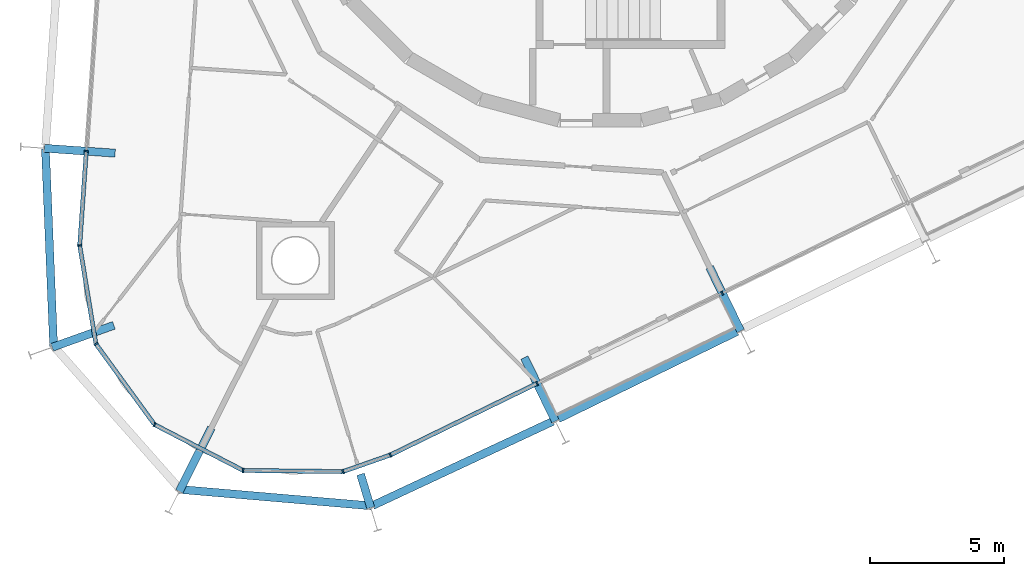
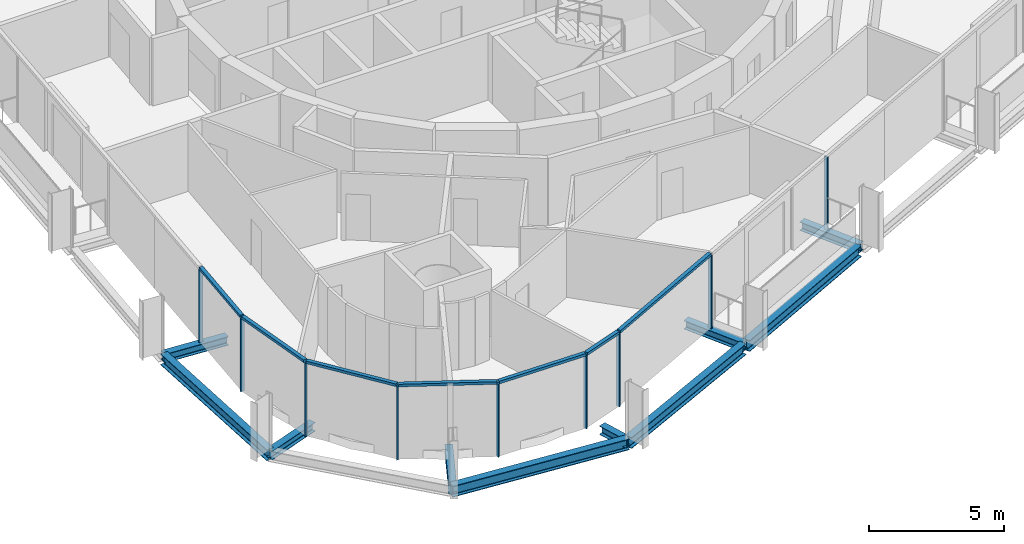
# One storey, part 2 of 17: 16 members, 10 beams, 2 elements without a shape of their own.
"""IFC4 building model written with IfcOpenShell, lengths in metres."""

from ifc_helpers import new_model, si_unit, direction, frame, origin, origin_2d, place, context, subcontext, project, spatial, rectangle, i_section, extrude, material, layer, layer_set, material_profile, profile_set, type_object, element, aggregate, save


model = new_model("IFC4")

# Units and contexts
model_context = context("Model", 3, precision=1e-05, world=origin(), true_north=direction((0.0, 1.0)))
body_context = subcontext(model_context, "Body", "Model", "MODEL_VIEW")
ifc_project = project(units=[si_unit("LENGTHUNIT", "METRE"), si_unit("AREAUNIT", "SQUARE_METRE"), si_unit("VOLUMEUNIT", "CUBIC_METRE"), si_unit("PLANEANGLEUNIT", "RADIAN"), si_unit("MASSUNIT", "GRAM", prefix="KILO")], contexts=[model_context])

# Site, building, storey
site_placement = place(None, origin())
site = spatial("IfcSite", under=ifc_project, at=site_placement, CompositionType="ELEMENT")
building_placement = place(site_placement, origin())
building = spatial("IfcBuilding", under=site, at=building_placement, Name="Spindle Arch Residences", CompositionType="ELEMENT")
storey_placement = place(building_placement, frame((0.0, 0.0, 216.39990234375)))
storey = spatial("IfcBuildingStorey", under=building, at=storey_placement, Name="L55", CompositionType="ELEMENT", Elevation=216.39990234375)

# Curtain wall, members
ifc_material_1 = material(Name="Aluminium bronze unitised frame with tinted glass", Category="aluminium")
ifc_layer_1 = layer(ifc_material_1, 0.159912109375)
ifc_layer_set_1 = layer_set([ifc_layer_1], Name="CW-D corner wall on the fillet arcs")
curtain_wall_type_1 = type_object("IfcCurtainWallType", Name="CW-D corner wall on the fillet arcs", PredefinedType="NOTDEFINED", material=ifc_layer_set_1)
curtain_wall_1_placement = place(storey_placement, origin())
curtain_wall_1 = element("IfcCurtainWall", 1, at=curtain_wall_1_placement, inside=storey, type_object=curtain_wall_type_1, Name="CW-D L55 run 5", PredefinedType="NOTDEFINED")
ifc_material_2 = material(Name="Aluminium bronze anodised mullion", Category="aluminium")
ifc_material_profile_1 = material_profile(ifc_material_2, rectangle(XDim=0.159912109375, YDim=0.06005859375, at=origin_2d()), Name="MU 60x160")
ifc_profile_set_1 = profile_set([ifc_material_profile_1], Name="Aluminium bronze anodised mullion")
member_type_1 = type_object("IfcMemberType", Name="Bronze mullion 60x160", PredefinedType="MULLION", material=ifc_profile_set_1)
member_1_placement = place(storey_placement, frame((-19.2001953125, -12.796875, -0.3798828125), z_axis=(0.0, 0.0, 1.0), x_axis=(0.99756405026, -0.069756473744, 0.0)))
member_1 = element("IfcMember", 2, at=member_1_placement, type_object=member_type_1, Name="CW-D mullion 00", PredefinedType="MULLION", context=body_context, shape_type="SweptSolid", body=[
    extrude(rectangle(XDim=0.159912109375, YDim=0.06005859375, at=origin_2d()), origin(), (0.0, 0.0, 1.0), 3.31005859375),
])
member_2_placement = place(storey_placement, frame((-19.4462890625, -16.31689453125, -0.3798828125), z_axis=(0.0, 0.0, 1.0), x_axis=(0.986761531666, 0.162177925821, 0.0)))
member_2 = element("IfcMember", 3, at=member_2_placement, type_object=member_type_1, Name="CW-D mullion 01", PredefinedType="MULLION", context=body_context, shape_type="SweptSolid", body=[
    extrude(rectangle(XDim=0.159912109375, YDim=0.06005859375, at=origin_2d()), origin(), (0.0, 0.0, 1.0), 3.31005859375),
])
member_3_placement = place(storey_placement, frame((-18.842041015625, -19.994140625, -0.3798828125), z_axis=(0.0, 0.0, 1.0), x_axis=(0.809016992641, 0.587785254679, 0.0)))
member_3 = element("IfcMember", 4, at=member_3_placement, type_object=member_type_1, Name="CW-D mullion 02", PredefinedType="MULLION", context=body_context, shape_type="SweptSolid", body=[
    extrude(rectangle(XDim=0.159912109375, YDim=0.06005859375, at=origin_2d()), origin(), (0.0, 0.0, 1.0), 3.31005859375),
])
member_4_placement = place(storey_placement, frame((-16.6513671875, -23.00927734375, -0.3798828125), z_axis=(0.0, 0.0, 1.0), x_axis=(0.459166453025, 0.88835025098, 0.0)))
member_4 = element("IfcMember", 5, at=member_4_placement, type_object=member_type_1, Name="CW-D mullion 03", PredefinedType="MULLION", context=body_context, shape_type="SweptSolid", body=[
    extrude(rectangle(XDim=0.159912109375, YDim=0.06005859375, at=origin_2d()), origin(), (0.0, 0.0, 1.0), 3.31005859375),
])
member_5_placement = place(storey_placement, frame((-13.3408203125, -24.720458984375, -0.3798828125), z_axis=(0.0, 0.0, 1.0), x_axis=(0.011635263346, 0.999932308032, 0.0)))
member_5 = element("IfcMember", 6, at=member_5_placement, type_object=member_type_1, Name="CW-D mullion 04", PredefinedType="MULLION", context=body_context, shape_type="SweptSolid", body=[
    extrude(rectangle(XDim=0.159912109375, YDim=0.06005859375, at=origin_2d()), origin(), (0.0, 0.0, 1.0), 3.31005859375),
])
member_6_placement = place(storey_placement, frame((-9.6142578125, -24.763916015625, -0.3798828125), z_axis=(0.0, 0.0, 1.0), x_axis=(-0.33106342198, 0.943608504957, 0.0)))
member_6 = element("IfcMember", 7, at=member_6_placement, type_object=member_type_1, Name="CW-D mullion 05", PredefinedType="MULLION", context=body_context, shape_type="SweptSolid", body=[
    extrude(rectangle(XDim=0.159912109375, YDim=0.06005859375, at=origin_2d()), origin(), (0.0, 0.0, 1.0), 3.31005859375),
])
member_7_placement = place(storey_placement, frame((-7.843994140625, -24.142822265625, -0.3798828125), z_axis=(0.0, 0.0, 1.0), x_axis=(-0.438371146789, 0.898794046299, 0.0)))
member_7 = element("IfcMember", 8, at=member_7_placement, type_object=member_type_1, Name="CW-D mullion 06", PredefinedType="MULLION", context=body_context, shape_type="SweptSolid", body=[
    extrude(rectangle(XDim=0.159912109375, YDim=0.06005859375, at=origin_2d()), origin(), (0.0, 0.0, 1.0), 3.31005859375),
])

ifc_material_3 = material(Name="Aluminium bronze unitised frame with tinted glass", Category="aluminium")
ifc_layer_2 = layer(ifc_material_3, 0.159912109375)
ifc_layer_set_2 = layer_set([ifc_layer_2], Name="CW-C typical residential unitised wall")
curtain_wall_type_2 = type_object("IfcCurtainWallType", Name="CW-C typical residential unitised wall", PredefinedType="NOTDEFINED", material=ifc_layer_set_2)
curtain_wall_2_placement = place(storey_placement, origin())
curtain_wall_2 = element("IfcCurtainWall", 9, at=curtain_wall_2_placement, inside=storey, type_object=curtain_wall_type_2, Name="CW-C L55 run 6", PredefinedType="NOTDEFINED")
member_8_placement = place(storey_placement, frame((-2.36767578125, -21.4716796875, -0.3798828125), z_axis=(0.0, 0.0, 1.0), x_axis=(-0.438371146789, 0.898794046299, 0.0)))
member_8 = element("IfcMember", 10, at=member_8_placement, type_object=member_type_1, Name="CW-C mullion 20", PredefinedType="MULLION", context=body_context, shape_type="SweptSolid", body=[
    extrude(rectangle(XDim=0.159912109375, YDim=0.06005859375, at=origin_2d()), origin(), (0.0, 0.0, 1.0), 3.31005859375),
])
member_9_placement = place(storey_placement, frame((4.54736328125, -18.09912109375, -0.3798828125), z_axis=(0.0, 0.0, 1.0), x_axis=(-0.438371146789, 0.898794046299, 0.0)))
member_9 = element("IfcMember", 11, at=member_9_placement, type_object=member_type_1, Name="CW-C mullion 21", PredefinedType="MULLION", context=body_context, shape_type="SweptSolid", body=[
    extrude(rectangle(XDim=0.159912109375, YDim=0.06005859375, at=origin_2d()), origin(), (0.0, 0.0, 1.0), 3.31005859375),
])
aggregate(curtain_wall_2, [member_8, member_9])

# Member
ifc_material_4 = material(Name="Aluminium bronze anodised transom", Category="aluminium")
ifc_material_profile_2 = material_profile(ifc_material_4, rectangle(XDim=0.159912109375, YDim=0.1201171875, at=origin_2d()), Name="TR 120x160")
ifc_profile_set_2 = profile_set([ifc_material_profile_2], Name="Aluminium bronze anodised transom")
member_type_2 = type_object("IfcMemberType", Name="Bronze transom 120x160", PredefinedType="USERDEFINED", material=ifc_profile_set_2)
member_10_placement = place(storey_placement, frame((-19.202392578125, -12.826904296875, 2.989990234375), z_axis=(-0.069756279092, -0.997564063871, 0.0), x_axis=(0.997564063871, -0.069756279092, 0.0)))
member_10 = element("IfcMember", 12, at=member_10_placement, type_object=member_type_2, Name="CW-D transom 00", ObjectType="TRANSOM", PredefinedType="USERDEFINED", context=body_context, shape_type="SweptSolid", body=[
    extrude(rectangle(XDim=0.159912109375, YDim=0.1201171875, at=origin_2d()), origin(), (0.0, 0.0, 1.0), 3.468505859375),
])

member_11_placement = place(storey_placement, frame((-19.44140625, -16.346435546875, 2.989990234375), z_axis=(0.162131110814, -0.986769224746, 0.0), x_axis=(0.986769224746, 0.162131110814, 0.0)))
member_11 = element("IfcMember", 13, at=member_11_placement, type_object=member_type_2, Name="CW-D transom 01", ObjectType="TRANSOM", PredefinedType="USERDEFINED", context=body_context, shape_type="SweptSolid", body=[
    extrude(rectangle(XDim=0.159912109375, YDim=0.1201171875, at=origin_2d()), origin(), (0.0, 0.0, 1.0), 3.666748046875),
])

member_12_placement = place(storey_placement, frame((-18.82421875, -20.0185546875, 2.989990234375), z_axis=(0.587807403161, -0.809000900363, 0.0), x_axis=(0.809000900363, 0.587807403161, 0.0)))
member_12 = element("IfcMember", 14, at=member_12_placement, type_object=member_type_2, Name="CW-D transom 02", ObjectType="TRANSOM", PredefinedType="USERDEFINED", context=body_context, shape_type="SweptSolid", body=[
    extrude(rectangle(XDim=0.159912109375, YDim=0.1201171875, at=origin_2d()), origin(), (0.0, 0.0, 1.0), 3.666748046875),
])

member_13_placement = place(storey_placement, frame((-16.624755859375, -23.02294921875, 2.989990234375), z_axis=(0.888327233371, -0.459210982503, 0.0), x_axis=(0.459210982503, 0.888327233371, 0.0)))
member_13 = element("IfcMember", 15, at=member_13_placement, type_object=member_type_2, Name="CW-D transom 03", ObjectType="TRANSOM", PredefinedType="USERDEFINED", context=body_context, shape_type="SweptSolid", body=[
    extrude(rectangle(XDim=0.159912109375, YDim=0.1201171875, at=origin_2d()), origin(), (0.0, 0.0, 1.0), 3.666748046875),
])

member_14_placement = place(storey_placement, frame((-13.310791015625, -24.720703125, 2.989990234375), z_axis=(0.999932114398, -0.011651892397, 0.0), x_axis=(0.011651892397, 0.999932114398, 0.0)))
member_14 = element("IfcMember", 16, at=member_14_placement, type_object=member_type_2, Name="CW-D transom 04", ObjectType="TRANSOM", PredefinedType="USERDEFINED", context=body_context, shape_type="SweptSolid", body=[
    extrude(rectangle(XDim=0.159912109375, YDim=0.1201171875, at=origin_2d()), origin(), (0.0, 0.0, 1.0), 3.666748046875),
])

member_15_placement = place(storey_placement, frame((-9.5859375, -24.75390625, 2.989990234375), z_axis=(0.943591876762, 0.331110812432, 0.0), x_axis=(-0.331110812432, 0.943591876762, 0.0)))
member_15 = element("IfcMember", 17, at=member_15_placement, type_object=member_type_2, Name="CW-D transom 05", ObjectType="TRANSOM", PredefinedType="USERDEFINED", context=body_context, shape_type="SweptSolid", body=[
    extrude(rectangle(XDim=0.159912109375, YDim=0.1201171875, at=origin_2d()), origin(), (0.0, 0.0, 1.0), 1.816162109375),
])

member_16_placement = place(storey_placement, frame((-7.81689453125, -24.129638671875, 2.989990234375), z_axis=(0.898786724344, 0.438386158704, 0.0), x_axis=(-0.438386158704, 0.898786724344, 0.0)))
member_16 = element("IfcMember", 18, at=member_16_placement, type_object=member_type_2, Name="CW-D transom 06", ObjectType="TRANSOM", PredefinedType="USERDEFINED", context=body_context, shape_type="SweptSolid", body=[
    extrude(rectangle(XDim=0.159912109375, YDim=0.1201171875, at=origin_2d()), origin(), (0.0, 0.0, 1.0), 6.032958984375),
])

aggregate(curtain_wall_1, [member_1, member_10, member_2, member_11, member_3, member_12, member_4, member_13, member_5, member_14, member_6, member_15, member_7, member_16])

# Beams
ifc_material_5 = material(Name="Steel S460ML, intumescent coating R 120", Category="steel")
ifc_material_profile_3 = material_profile(ifc_material_5, i_section(OverallWidth=0.300048828125, OverallDepth=0.5, WebThickness=0.014404296875, FlangeThickness=0.028076171875, FilletRadius=0.027099609375, at=origin_2d()), Name="HEB 500")
ifc_profile_set_3 = profile_set([ifc_material_profile_3], Name="Steel S460ML, intumescent coating R 120")
beam_type_1 = type_object("IfcBeamType", Name="Exoskeleton edge beam HEB 500", PredefinedType="BEAM", material=ifc_profile_set_3)
beam_1_placement = place(storey_placement, frame((-20.724609375, -12.719482421875, -0.6298828125), z_axis=(0.041509189308, -0.999138122185, 0.0), x_axis=(0.999138122185, 0.041509189308, 0.0)))
element("IfcBeam", 19, at=beam_1_placement, inside=storey, type_object=beam_type_1, Name="Exoskeleton edge beam 17", PredefinedType="BEAM", context=body_context, shape_type="SweptSolid", body=[
    extrude(i_section(OverallWidth=0.300048828125, OverallDepth=0.5, WebThickness=0.014404296875, FlangeThickness=0.028076171875, FilletRadius=0.027099609375, at=origin_2d()), origin(), (0.0, 0.0, 1.0), 7.36376953125),
])
beam_2_placement = place(storey_placement, frame((-15.7568359375, -25.42431640625, -0.6298828125), z_axis=(0.996340259924, -0.085475648313, 0.0), x_axis=(0.085475648313, 0.996340259924, 0.0)))
element("IfcBeam", 20, at=beam_2_placement, inside=storey, type_object=beam_type_1, Name="Exoskeleton edge beam 19", PredefinedType="BEAM", context=body_context, shape_type="SweptSolid", body=[
    extrude(i_section(OverallWidth=0.300048828125, OverallDepth=0.5, WebThickness=0.014404296875, FlangeThickness=0.028076171875, FilletRadius=0.027099609375, at=origin_2d()), origin(), (0.0, 0.0, 1.0), 7.249267578125),
])
beam_3_placement = place(storey_placement, frame((-8.508056640625, -26.0322265625, -0.6298828125), z_axis=(0.905883990605, 0.423525908966, 0.0), x_axis=(-0.423525908966, 0.905883990605, 0.0)))
element("IfcBeam", 21, at=beam_3_placement, inside=storey, type_object=beam_type_1, Name="Exoskeleton edge beam 20", PredefinedType="BEAM", context=body_context, shape_type="SweptSolid", body=[
    extrude(i_section(OverallWidth=0.300048828125, OverallDepth=0.5, WebThickness=0.014404296875, FlangeThickness=0.028076171875, FilletRadius=0.027099609375, at=origin_2d()), origin(), (0.0, 0.0, 1.0), 7.42822265625),
])
beam_4_placement = place(storey_placement, frame((-1.580078125, -22.789794921875, -0.6298828125), z_axis=(0.898804110297, 0.438350511935, 0.0), x_axis=(-0.438350511935, 0.898804110297, 0.0)))
element("IfcBeam", 22, at=beam_4_placement, inside=storey, type_object=beam_type_1, Name="Exoskeleton edge beam 21", PredefinedType="BEAM", context=body_context, shape_type="SweptSolid", body=[
    extrude(i_section(OverallWidth=0.300048828125, OverallDepth=0.5, WebThickness=0.014404296875, FlangeThickness=0.028076171875, FilletRadius=0.027099609375, at=origin_2d()), origin(), (0.0, 0.0, 1.0), 7.43359375),
])
ifc_material_6 = material(Name="Steel S460ML, intumescent coating R 120", Category="steel")
ifc_material_profile_4 = material_profile(ifc_material_6, i_section(OverallWidth=0.300048828125, OverallDepth=0.389892578125, WebThickness=0.010986328125, FlangeThickness=0.01904296875, FilletRadius=0.027099609375, at=origin_2d()), Name="HEA 400")
ifc_profile_set_4 = profile_set([ifc_material_profile_4], Name="Steel S460ML, intumescent coating R 120")
beam_type_2 = type_object("IfcBeamType", Name="Floor outrigger HEA 400", PredefinedType="BEAM", material=ifc_profile_set_4)
beam_5_placement = place(storey_placement, frame((-20.766357421875, -12.6875, -0.574951171875), z_axis=(0.997565124092, -0.069741115528, 0.0), x_axis=(0.069741115528, 0.997565124092, 0.0)))
element("IfcBeam", 23, at=beam_5_placement, inside=storey, type_object=beam_type_2, Name="Floor outrigger 17", PredefinedType="BEAM", context=body_context, shape_type="SweptSolid", body=[
    extrude(i_section(OverallWidth=0.300048828125, OverallDepth=0.389892578125, WebThickness=0.010986328125, FlangeThickness=0.01904296875, FilletRadius=0.027099609375, at=origin_2d()), origin(), (0.0, 0.0, 1.0), 2.64990234375),
])
beam_6_placement = place(storey_placement, frame((-20.475341796875, -20.1220703125, -0.574951171875), z_axis=(0.941908704104, 0.335869011868, 0.0), x_axis=(-0.335869011868, 0.941908704104, 0.0)))
element("IfcBeam", 24, at=beam_6_placement, inside=storey, type_object=beam_type_2, Name="Floor outrigger 18", PredefinedType="BEAM", context=body_context, shape_type="SweptSolid", body=[
    extrude(i_section(OverallWidth=0.300048828125, OverallDepth=0.389892578125, WebThickness=0.010986328125, FlangeThickness=0.01904296875, FilletRadius=0.027099609375, at=origin_2d()), origin(), (0.0, 0.0, 1.0), 2.448974609375),
])
beam_7_placement = place(storey_placement, frame((-15.725830078125, -25.49951171875, -0.574951171875), z_axis=(0.449717951116, 0.893170624486, 0.0), x_axis=(-0.893170624486, 0.449717951116, 0.0)))
element("IfcBeam", 25, at=beam_7_placement, inside=storey, type_object=beam_type_2, Name="Floor outrigger 19", PredefinedType="BEAM", context=body_context, shape_type="SweptSolid", body=[
    extrude(i_section(OverallWidth=0.300048828125, OverallDepth=0.389892578125, WebThickness=0.010986328125, FlangeThickness=0.01904296875, FilletRadius=0.027099609375, at=origin_2d()), origin(), (0.0, 0.0, 1.0), 2.649658203125),
])
beam_8_placement = place(storey_placement, frame((-8.57763671875, -26.11279296875, -0.574951171875), z_axis=(-0.291027903823, 0.956714565164, 0.0), x_axis=(-0.956714565164, -0.291027903823, 0.0)))
element("IfcBeam", 26, at=beam_8_placement, inside=storey, type_object=beam_type_2, Name="Floor outrigger 20", PredefinedType="BEAM", context=body_context, shape_type="SweptSolid", body=[
    extrude(i_section(OverallWidth=0.300048828125, OverallDepth=0.389892578125, WebThickness=0.010986328125, FlangeThickness=0.01904296875, FilletRadius=0.027099609375, at=origin_2d()), origin(), (0.0, 0.0, 1.0), 1.307861328125),
])
for number, where, z_axis, x_axis, name in (
    (27, (-1.679443359375, -22.8828125, -0.574951171875), (-0.438347395329, 0.898805630272, 0.0), (-0.898805630272, -0.438347395329, 0.0), "Floor outrigger 21"),
    (28, (5.235595703125, -19.510009765625, -0.574951171875), (-0.438383695602, 0.898787925725, 0.0), (-0.898787925725, -0.438383695602, 0.0), "Floor outrigger 22"),
):
    element("IfcBeam", number, at=place(storey_placement, frame(where, z_axis=z_axis, x_axis=x_axis)), inside=storey, type_object=beam_type_2, Name=name, PredefinedType="BEAM", context=body_context, shape_type="SweptSolid", body=[
        extrude(i_section(OverallWidth=0.300048828125, OverallDepth=0.389892578125, WebThickness=0.010986328125, FlangeThickness=0.01904296875, FilletRadius=0.027099609375, at=origin_2d()), origin(), (0.0, 0.0, 1.0), 2.64990234375),
    ])

save(model, "model.ifc")
